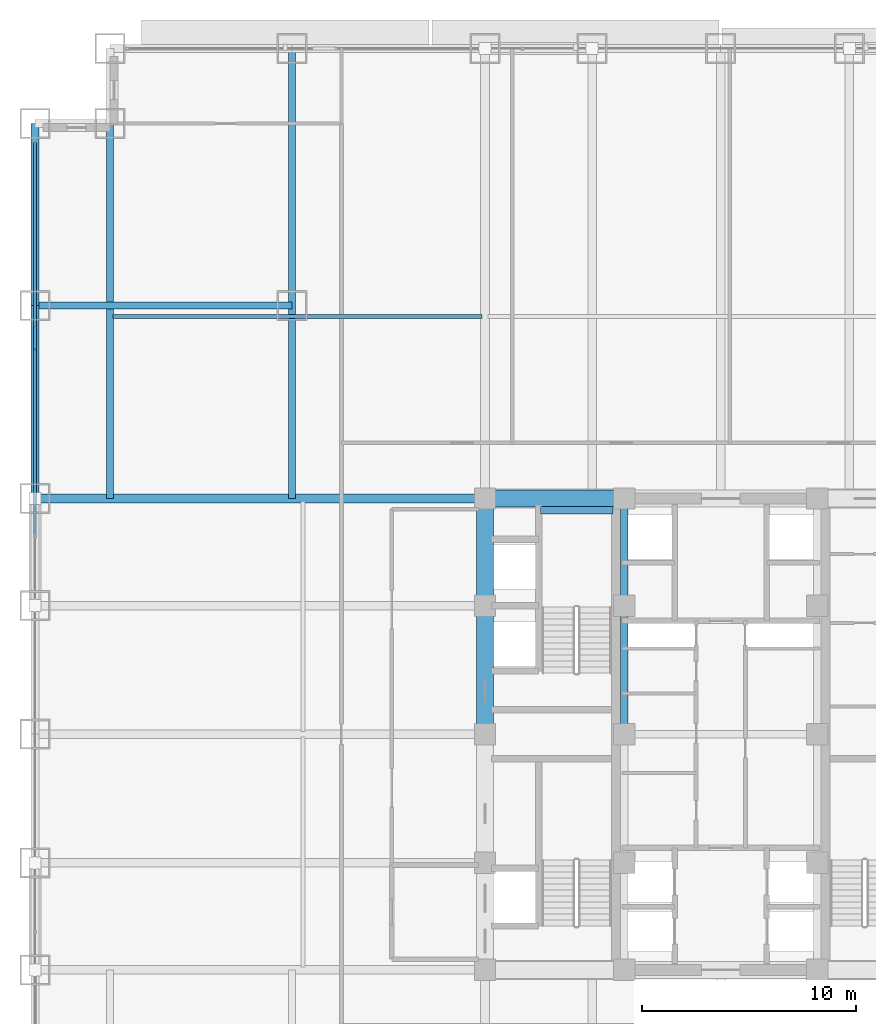
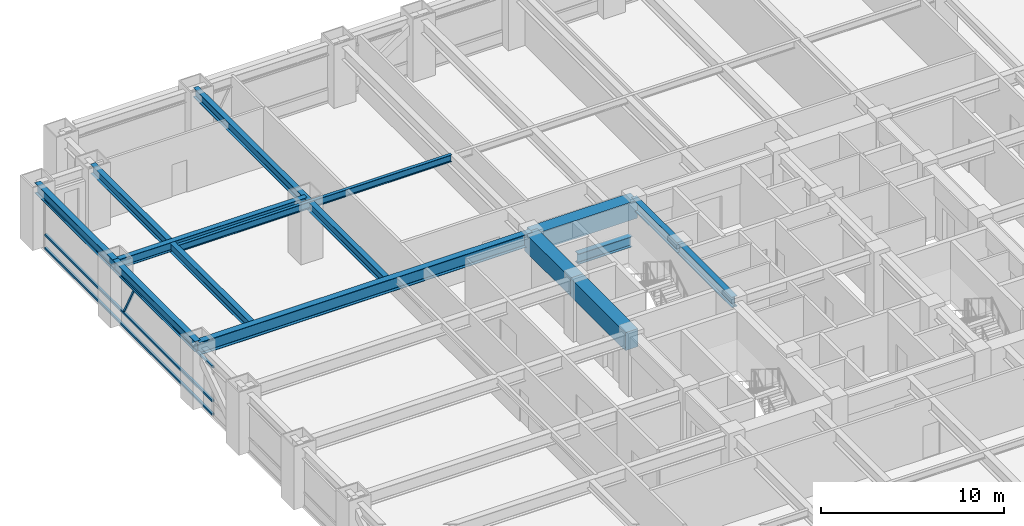
# One storey, part 13 of 31: 13 beams, 4 members, 1 element without a shape of its own.
"""IFC4 building model written with IfcOpenShell, lengths in metres."""

from ifc_helpers import new_model, si_unit, direction, frame, origin, origin_2d, place, context, subcontext, project, spatial, rectangle, hollow_rectangle, i_section, extrude, source, transform, mapped, material, material_profile, profile_set, type_object, element, aggregate, save


model = new_model("IFC4")

# Units and contexts
model_context = context("Model", 3, precision=1e-05, world=origin(), true_north=direction((0.0, 1.0)))
body_context = subcontext(model_context, "Body", "Model", "MODEL_VIEW")
ifc_project = project(units=[si_unit("LENGTHUNIT", "METRE"), si_unit("AREAUNIT", "SQUARE_METRE"), si_unit("VOLUMEUNIT", "CUBIC_METRE"), si_unit("PLANEANGLEUNIT", "RADIAN"), si_unit("MASSUNIT", "GRAM", prefix="KILO")], contexts=[model_context])

# Site, building, storey
site_placement = place(None, origin())
site = spatial("IfcSite", under=ifc_project, at=site_placement, CompositionType="ELEMENT")
building_placement = place(site_placement, origin())
building = spatial("IfcBuilding", under=site, at=building_placement, Name="Khorayat Bourse Tower", CompositionType="ELEMENT")
storey_placement = place(building_placement, frame((0.0, 0.0, 36.800048828125)))
storey = spatial("IfcBuildingStorey", under=building, at=storey_placement, Name="L07", CompositionType="ELEMENT", Elevation=36.800048828125)

# Beams
ifc_material_1 = material(Name="Concrete C72/90", Category="concrete")
ifc_material_profile_1 = material_profile(ifc_material_1, rectangle(XDim=0.800048828125, YDim=1.199951171875, at=origin_2d()), Name="RC 800x1200")
ifc_profile_set_1 = profile_set([ifc_material_profile_1], Name="Concrete C72/90")
beam_type_1 = type_object("IfcBeamType", Name="BM-COUP-1200", PredefinedType="BEAM", material=ifc_profile_set_1)
shared_shape_1 = source(origin(), body_context, "Body", "SweptSolid", [
    extrude(rectangle(XDim=0.800048828125, YDim=1.199951171875, at=origin_2d()), origin(), (0.0, 0.0, 1.0), 5.0),
])
beam_1_placement = place(storey_placement, frame((-11.0, 6.0, 3.33984375), z_axis=(0.0, 1.0, 0.0), x_axis=(-1.0, 0.0, 0.0)))
element("IfcBeam", 1, at=beam_1_placement, inside=storey, type_object=beam_type_1, Name="L07 BM-COUP-1200 BM-L07-CRX-04", PredefinedType="BEAM", context=body_context, shape_type="MappedRepresentation", body=[
    mapped(shared_shape_1, transform((0.0, 0.0, 0.0), scale=1.0)),
])
shared_shape_2 = source(origin(), body_context, "Body", "SweptSolid", [
    extrude(rectangle(XDim=0.800048828125, YDim=1.199951171875, at=origin_2d()), origin(), (0.0, 0.0, 1.0), 6.0),
])
beam_2_placement = place(storey_placement, frame((-11.0, 0.0, 3.33984375), z_axis=(0.0, 1.0, 0.0), x_axis=(-1.0, 0.0, 0.0)))
element("IfcBeam", 2, at=beam_2_placement, inside=storey, type_object=beam_type_1, Name="L07 BM-COUP-1200 BM-L07-CRX-03", PredefinedType="BEAM", context=body_context, shape_type="MappedRepresentation", body=[
    mapped(shared_shape_2, transform((0.0, 0.0, 0.0), scale=1.0)),
])
ifc_material_2 = material(Name="Steel ASTM A992 Grade 50", Category="steel")
ifc_material_profile_2 = material_profile(ifc_material_2, i_section(OverallWidth=0.35498046875, OverallDepth=0.695068359375, WebThickness=0.015380859375, FlangeThickness=0.02490234375, FilletRadius=0.01806640625, at=origin_2d()), Name="W690X217")
ifc_profile_set_2 = profile_set([ifc_material_profile_2], Name="Steel ASTM A992 Grade 50")
beam_type_2 = type_object("IfcBeamType", Name="BM-GIRD-690", PredefinedType="BEAM", material=ifc_profile_set_2)
shared_shape_3 = source(origin(), body_context, "Body", "SweptSolid", [
    extrude(i_section(OverallWidth=0.35498046875, OverallDepth=0.695068359375, WebThickness=0.015380859375, FlangeThickness=0.02490234375, FilletRadius=0.01806640625, at=origin_2d()), origin(), (0.0, 0.0, 1.0), 5.0),
])
beam_3_placement = place(storey_placement, frame((-4.5, 6.0, 3.592529296875), z_axis=(0.0, 1.0, 0.0), x_axis=(-1.0, 0.0, 0.0)))
element("IfcBeam", 3, at=beam_3_placement, inside=storey, type_object=beam_type_2, Name="L07 BM-GIRD-690 BM-L07-CRX-08", PredefinedType="BEAM", context=body_context, shape_type="MappedRepresentation", body=[
    mapped(shared_shape_3, transform((0.0, 0.0, 0.0), scale=1.0)),
])
shared_shape_4 = source(origin(), body_context, "Body", "SweptSolid", [
    extrude(i_section(OverallWidth=0.35498046875, OverallDepth=0.695068359375, WebThickness=0.015380859375, FlangeThickness=0.02490234375, FilletRadius=0.01806640625, at=origin_2d()), origin(), (0.0, 0.0, 1.0), 6.0),
])
beam_4_placement = place(storey_placement, frame((-4.5, 0.0, 3.592529296875), z_axis=(0.0, 1.0, 0.0), x_axis=(-1.0, 0.0, 0.0)))
element("IfcBeam", 4, at=beam_4_placement, inside=storey, type_object=beam_type_2, Name="L07 BM-GIRD-690 BM-L07-CRX-07", PredefinedType="BEAM", context=body_context, shape_type="MappedRepresentation", body=[
    mapped(shared_shape_4, transform((0.0, 0.0, 0.0), scale=1.0)),
])
shared_shape_5 = source(origin(), body_context, "Body", "SweptSolid", [
    extrude(rectangle(XDim=0.800048828125, YDim=1.199951171875, at=origin_2d()), origin(), (0.0, 0.0, 1.0), 6.5),
])
beam_5_placement = place(storey_placement, frame((-11.0, 11.0, 3.33984375), z_axis=(1.0, 0.0, 0.0), x_axis=(0.0, 1.0, 0.0)))
element("IfcBeam", 5, at=beam_5_placement, inside=storey, type_object=beam_type_1, Name="L07 BM-COUP-1200 BM-L07-CRY-20", PredefinedType="BEAM", context=body_context, shape_type="MappedRepresentation", body=[
    mapped(shared_shape_5, transform((0.0, 0.0, 0.0), scale=1.0)),
])
shared_shape_6 = source(origin(), body_context, "Body", "SweptSolid", [
    extrude(i_section(OverallWidth=0.35498046875, OverallDepth=0.695068359375, WebThickness=0.015380859375, FlangeThickness=0.02490234375, FilletRadius=0.01806640625, at=origin_2d()), origin(), (0.0, 0.0, 1.0), 3.39990234375),
])
beam_6_placement = place(storey_placement, frame((-8.419921875, 10.449951171875, 1.552490234375), z_axis=(1.0, 0.0, 0.0), x_axis=(0.0, 1.0, 0.0)))
element("IfcBeam", 6, at=beam_6_placement, inside=storey, type_object=beam_type_2, Name="L07 BM-GIRD-690 BM-L07-ST2L", PredefinedType="BEAM", context=body_context, shape_type="MappedRepresentation", body=[
    mapped(shared_shape_6, transform((0.0, 0.0, 0.0), scale=1.0)),
])
ifc_material_profile_3 = material_profile(ifc_material_2, i_section(OverallWidth=0.35498046875, OverallDepth=0.695068359375, WebThickness=0.015380859375, FlangeThickness=0.02490234375, FilletRadius=0.01806640625, at=origin_2d()), Name="W690X217")
ifc_profile_set_3 = profile_set([ifc_material_profile_3], Name="Steel ASTM A992 Grade 50")
beam_type_3 = type_object("IfcBeamType", Name="BM-SPAN-690", PredefinedType="SPANDREL", material=ifc_profile_set_3)
shared_shape_7 = source(origin(), body_context, "Body", "SweptSolid", [
    extrude(i_section(OverallWidth=0.35498046875, OverallDepth=0.695068359375, WebThickness=0.015380859375, FlangeThickness=0.02490234375, FilletRadius=0.01806640625, at=origin_2d()), origin(), (0.0, 0.0, 1.0), 8.5),
])
beam_7_placement = place(storey_placement, frame((-32.0, 20.0, 3.592529296875), z_axis=(0.0, 1.0, 0.0), x_axis=(-1.0, 0.0, 0.0)))
element("IfcBeam", 7, at=beam_7_placement, inside=storey, type_object=beam_type_3, Name="L07 BM-SPAN-690 BM-L07-SPN-054", PredefinedType="SPANDREL", context=body_context, shape_type="MappedRepresentation", body=[
    mapped(shared_shape_7, transform((0.0, 0.0, 0.0), scale=1.0)),
])
shared_shape_8 = source(origin(), body_context, "Body", "SweptSolid", [
    extrude(i_section(OverallWidth=0.35498046875, OverallDepth=0.695068359375, WebThickness=0.015380859375, FlangeThickness=0.02490234375, FilletRadius=0.01806640625, at=origin_2d()), origin(), (0.0, 0.0, 1.0), 9.0),
])
beam_8_placement = place(storey_placement, frame((-32.0, 11.0, 3.592529296875), z_axis=(0.0, 1.0, 0.0), x_axis=(-1.0, 0.0, 0.0)))
element("IfcBeam", 8, at=beam_8_placement, inside=storey, type_object=beam_type_3, Name="L07 BM-SPAN-690 BM-L07-SPN-055", PredefinedType="SPANDREL", context=body_context, shape_type="MappedRepresentation", body=[
    mapped(shared_shape_8, transform((0.0, 0.0, 0.0), scale=1.0)),
])
ifc_material_profile_4 = material_profile(ifc_material_2, i_section(OverallWidth=0.39990234375, OverallDepth=0.85498046875, WebThickness=0.018310546875, FlangeThickness=0.029296875, FilletRadius=0.02001953125, at=origin_2d()), Name="W840X299")
ifc_profile_set_4 = profile_set([ifc_material_profile_4], Name="Steel ASTM A992 Grade 50")
beam_type_4 = type_object("IfcBeamType", Name="BM-GIRD-840", PredefinedType="BEAM", material=ifc_profile_set_4)
shared_shape_9 = source(origin(), body_context, "Body", "SweptSolid", [
    extrude(i_section(OverallWidth=0.39990234375, OverallDepth=0.85498046875, WebThickness=0.018310546875, FlangeThickness=0.029296875, FilletRadius=0.02001953125, at=origin_2d()), origin(), (0.0, 0.0, 1.0), 21.0),
])
beam_9_placement = place(storey_placement, frame((-32.0, 11.0, 3.512451171875), z_axis=(1.0, 0.0, 0.0), x_axis=(0.0, 1.0, 0.0)))
element("IfcBeam", 9, at=beam_9_placement, inside=storey, type_object=beam_type_4, Name="L07 BM-GIRD-840 BM-L07-RADX-083", PredefinedType="BEAM", context=body_context, shape_type="MappedRepresentation", body=[
    mapped(shared_shape_9, transform((0.0, 0.0, 0.0), scale=1.0)),
])
ifc_material_profile_5 = material_profile(ifc_material_2, i_section(OverallWidth=0.324951171875, OverallDepth=0.615966796875, WebThickness=0.013916015625, FlangeThickness=0.021484375, FilletRadius=0.01611328125, at=origin_2d()), Name="W610X174")
ifc_profile_set_5 = profile_set([ifc_material_profile_5], Name="Steel ASTM A992 Grade 50")
beam_type_5 = type_object("IfcBeamType", Name="BM-GIRD-610", PredefinedType="BEAM", material=ifc_profile_set_5)
shared_shape_10 = source(origin(), body_context, "Body", "SweptSolid", [
    extrude(i_section(OverallWidth=0.324951171875, OverallDepth=0.615966796875, WebThickness=0.013916015625, FlangeThickness=0.021484375, FilletRadius=0.01611328125, at=origin_2d()), origin(), (0.0, 0.0, 1.0), 21.0),
])
beam_10_placement = place(storey_placement, frame((-20.0, 11.0, 3.6318359375), z_axis=(0.0, 1.0, 0.0), x_axis=(-1.0, 0.0, 0.0)))
element("IfcBeam", 10, at=beam_10_placement, inside=storey, type_object=beam_type_5, Name="L07 BM-GIRD-610 BM-L07-CNRY-085", PredefinedType="BEAM", context=body_context, shape_type="MappedRepresentation", body=[
    mapped(shared_shape_10, transform((0.0, 0.0, 0.0), scale=1.0)),
])
shared_shape_11 = source(origin(), body_context, "Body", "SweptSolid", [
    extrude(i_section(OverallWidth=0.324951171875, OverallDepth=0.615966796875, WebThickness=0.013916015625, FlangeThickness=0.021484375, FilletRadius=0.01611328125, at=origin_2d()), origin(), (0.0, 0.0, 1.0), 17.5),
])
beam_11_placement = place(storey_placement, frame((-28.5, 11.0, 3.6318359375), z_axis=(0.0, 1.0, 0.0), x_axis=(-1.0, 0.0, 0.0)))
element("IfcBeam", 11, at=beam_11_placement, inside=storey, type_object=beam_type_5, Name="L07 BM-GIRD-610 BM-L07-CNRY-089", PredefinedType="BEAM", context=body_context, shape_type="MappedRepresentation", body=[
    mapped(shared_shape_11, transform((0.0, 0.0, 0.0), scale=1.0)),
])
shared_shape_12 = source(origin(), body_context, "Body", "SweptSolid", [
    extrude(i_section(OverallWidth=0.324951171875, OverallDepth=0.615966796875, WebThickness=0.013916015625, FlangeThickness=0.021484375, FilletRadius=0.01611328125, at=origin_2d()), origin(), (0.0, 0.0, 1.0), 12.0),
])
beam_12_placement = place(storey_placement, frame((-32.0, 20.0, 3.6318359375), z_axis=(1.0, 0.0, 0.0), x_axis=(0.0, 1.0, 0.0)))
element("IfcBeam", 12, at=beam_12_placement, inside=storey, type_object=beam_type_5, Name="L07 BM-GIRD-610 BM-L07-CNRX-095", PredefinedType="BEAM", context=body_context, shape_type="MappedRepresentation", body=[
    mapped(shared_shape_12, transform((0.0, 0.0, 0.0), scale=1.0)),
])
ifc_material_profile_6 = material_profile(ifc_material_2, i_section(OverallWidth=0.194091796875, OverallDepth=0.468994140625, WebThickness=0.0126953125, FlangeThickness=0.0205078125, FilletRadius=0.012939453125, at=origin_2d()), Name="W460X106")
ifc_profile_set_6 = profile_set([ifc_material_profile_6], Name="Steel ASTM A992 Grade 50")
beam_type_6 = type_object("IfcBeamType", Name="BM-JOIST-460", PredefinedType="JOIST", material=ifc_profile_set_6)
shared_shape_13 = source(origin(), body_context, "Body", "SweptSolid", [
    extrude(i_section(OverallWidth=0.194091796875, OverallDepth=0.468994140625, WebThickness=0.0126953125, FlangeThickness=0.0205078125, FilletRadius=0.012939453125, at=origin_2d()), origin(), (0.0, 0.0, 1.0), 17.240234375),
])
beam_13_placement = place(storey_placement, frame((-28.3701171875, 19.5, 3.70556640625), z_axis=(1.0, 0.0, 0.0), x_axis=(0.0, 1.0, 0.0)))
element("IfcBeam", 13, at=beam_13_placement, inside=storey, type_object=beam_type_6, Name="L07 BM-JOIST-460 BM-L07-JSTX-099", PredefinedType="JOIST", context=body_context, shape_type="MappedRepresentation", body=[
    mapped(shared_shape_13, transform((0.0, 0.0, 0.0), scale=1.0)),
])

# Curtain wall, members
ifc_material_3 = material(Name="Aluminium EN AW-6063 T6", Category="aluminium")
curtain_wall_type = type_object("IfcCurtainWallType", Name="CW-SYS-02", PredefinedType="NOTDEFINED", material=ifc_material_3)
curtain_wall_placement = place(storey_placement, origin())
curtain_wall = element("IfcCurtainWall", 14, at=curtain_wall_placement, inside=storey, type_object=curtain_wall_type, Name="L07 Curtain Wall CW-L07-W1", PredefinedType="NOTDEFINED")
ifc_material_profile_7 = material_profile(ifc_material_3, hollow_rectangle(XDim=0.139892578125, YDim=0.139892578125, WallThickness=0.006103515625, at=origin_2d()), Name="ALU 140x140x6")
ifc_profile_set_7 = profile_set([ifc_material_profile_7], Name="Aluminium EN AW-6063 T6")
member_type_1 = type_object("IfcMemberType", Name="CWT-HORZ-140", PredefinedType="USERDEFINED", material=ifc_profile_set_7)
shared_shape_14 = source(origin(), body_context, "Body", "SweptSolid", [
    extrude(hollow_rectangle(XDim=0.139892578125, YDim=0.139892578125, WallThickness=0.006103515625, at=origin_2d()), origin(), (0.0, 0.0, 1.0), 18.2900390625),
])
member_1_placement = place(storey_placement, frame((-32.0, 9.320068359375, 0.070068359375), z_axis=(0.0, 1.0, 0.0), x_axis=(-1.0, 0.0, 0.0)))
member_1 = element("IfcMember", 15, at=member_1_placement, type_object=member_type_1, Name="CW-L07-W1 Horizontal Transom 3-1", ObjectType="TRANSOM", PredefinedType="USERDEFINED", context=body_context, shape_type="MappedRepresentation", body=[
    mapped(shared_shape_14, transform((0.0, 0.0, 0.0), scale=1.0)),
])
member_2_placement = place(storey_placement, frame((-32.0, 9.320068359375, 0.949951171875), z_axis=(0.0, 1.0, 0.0), x_axis=(-1.0, 0.0, 0.0)))
member_2 = element("IfcMember", 16, at=member_2_placement, type_object=member_type_1, Name="CW-L07-W1 Horizontal Transom 3-2", ObjectType="TRANSOM", PredefinedType="USERDEFINED", context=body_context, shape_type="MappedRepresentation", body=[
    mapped(shared_shape_14, transform((0.0, 0.0, 0.0), scale=1.0)),
])
member_3_placement = place(storey_placement, frame((-32.0, 9.320068359375, 3.219970703125), z_axis=(0.0, 1.0, 0.0), x_axis=(-1.0, 0.0, 0.0)))
member_3 = element("IfcMember", 17, at=member_3_placement, type_object=member_type_1, Name="CW-L07-W1 Horizontal Transom 3-3", ObjectType="TRANSOM", PredefinedType="USERDEFINED", context=body_context, shape_type="MappedRepresentation", body=[
    mapped(shared_shape_14, transform((0.0, 0.0, 0.0), scale=1.0)),
])
ifc_material_profile_8 = material_profile(ifc_material_3, hollow_rectangle(XDim=0.1201171875, YDim=0.1201171875, WallThickness=0.0048828125, at=origin_2d()), Name="ALU 120x120x5")
ifc_profile_set_8 = profile_set([ifc_material_profile_8], Name="Aluminium EN AW-6063 T6")
member_type_2 = type_object("IfcMemberType", Name="CWM-DIAG-120", PredefinedType="MULLION", material=ifc_profile_set_8)
shared_shape_15 = source(origin(), body_context, "Body", "SweptSolid", [
    extrude(hollow_rectangle(XDim=0.1201171875, YDim=0.1201171875, WallThickness=0.0048828125, at=origin_2d()), origin(), (0.0, 0.0, 1.0), 2.226318359375),
])
member_4_placement = place(storey_placement, frame((-32.0, 18.9833984375, 1.099853515625), z_axis=(0.0, -0.465714796031, 0.884934872608), x_axis=(1.0, 0.0, 0.0)))
member_4 = element("IfcMember", 18, at=member_4_placement, type_object=member_type_2, Name="CW-L07-W1 Faceted Diagonal Mullion 3", PredefinedType="MULLION", context=body_context, shape_type="MappedRepresentation", body=[
    mapped(shared_shape_15, transform((0.0, 0.0, 0.0), scale=1.0)),
])
aggregate(curtain_wall, [member_1, member_2, member_3, member_4])

save(model, "model.ifc")
